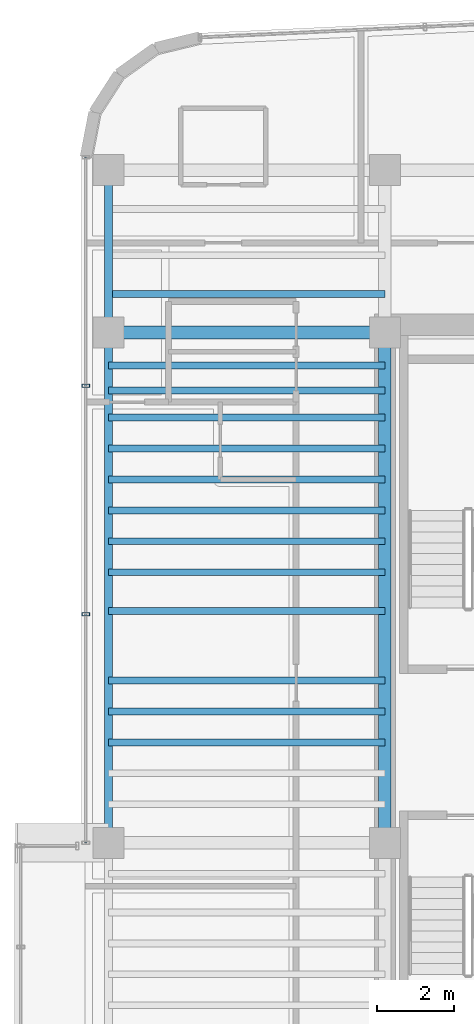
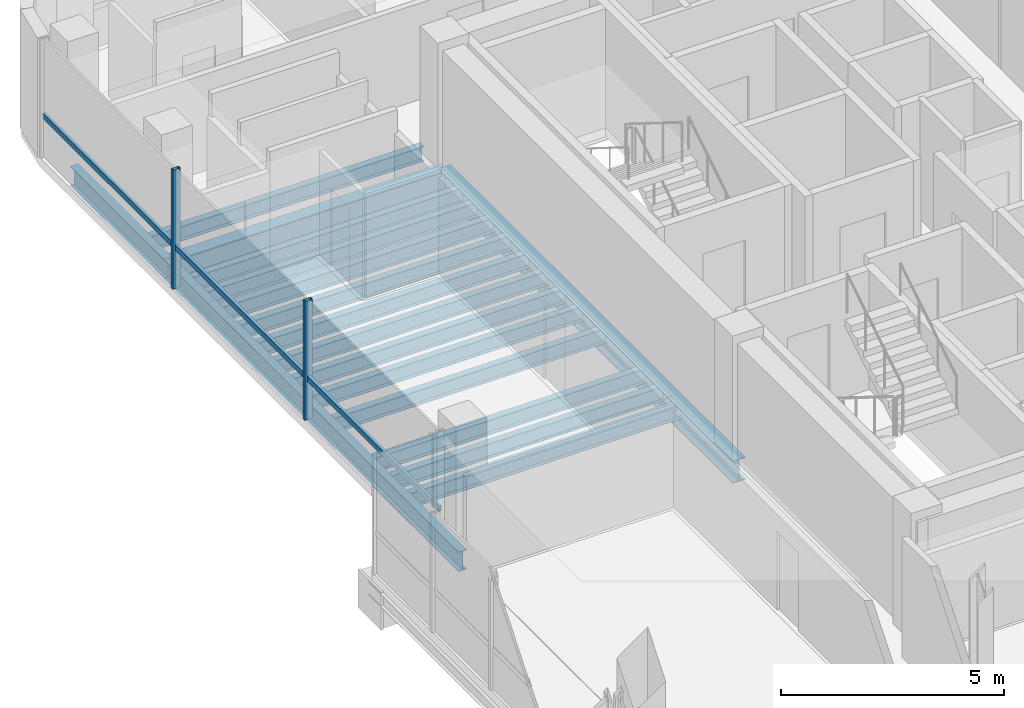
# One storey, part 6 of 19: 17 beams, 3 members, 1 element without a shape of its own.
"""IFC4 building model written with IfcOpenShell, lengths in metres."""

from ifc_helpers import new_model, si_unit, direction, frame, origin, origin_2d, place, context, subcontext, project, spatial, hollow_rectangle, i_section, extrude, source, transform, mapped, material, material_profile, profile_set, type_object, element, aggregate, save


model = new_model("IFC4")

# Units and contexts
model_context = context("Model", 3, precision=1e-05, world=origin(), true_north=direction((0.0, 1.0)))
body_context = subcontext(model_context, "Body", "Model", "MODEL_VIEW")
ifc_project = project(units=[si_unit("LENGTHUNIT", "METRE"), si_unit("AREAUNIT", "SQUARE_METRE"), si_unit("VOLUMEUNIT", "CUBIC_METRE"), si_unit("PLANEANGLEUNIT", "RADIAN"), si_unit("MASSUNIT", "GRAM", prefix="KILO")], contexts=[model_context])

# Site, building, storey
site_placement = place(None, origin())
site = spatial("IfcSite", under=ifc_project, at=site_placement, CompositionType="ELEMENT")
building_placement = place(site_placement, origin())
building = spatial("IfcBuilding", under=site, at=building_placement, Name="Valdorenza Pilgrim Sanctuary Tower", CompositionType="ELEMENT")
storey_placement = place(building_placement, frame((0.0, 0.0, 269.5)))
storey = spatial("IfcBuildingStorey", under=building, at=storey_placement, Name="L70", CompositionType="ELEMENT", Elevation=269.5)

# Beams
ifc_material_1 = material(Name="Steel ASTM A992 Grade 50", Category="steel")
ifc_material_profile_1 = material_profile(ifc_material_1, i_section(OverallWidth=0.323974609375, OverallDepth=0.611083984375, WebThickness=0.0126953125, FlangeThickness=0.01904296875, at=origin_2d()), Name="W24X104")
ifc_profile_set_1 = profile_set([ifc_material_profile_1], Name="Steel ASTM A992 Grade 50")
beam_type_1 = type_object("IfcBeamType", Name="STR-BM-GRD-W24B", PredefinedType="BEAM", material=ifc_profile_set_1)
shared_shape_1 = source(origin(), body_context, "Body", "SweptSolid", [
    extrude(i_section(OverallWidth=0.323974609375, OverallDepth=0.611083984375, WebThickness=0.0126953125, FlangeThickness=0.01904296875, at=origin_2d()), origin(), (0.0, 0.0, 1.0), 13.2001953125),
])
beam_1_placement = place(storey_placement, frame((-22.64990234375, -2.60009765625, -0.54541015625), z_axis=(0.0, 1.0, 0.0), x_axis=(-1.0, 0.0, 0.0)))
element("IfcBeam", 1, at=beam_1_placement, inside=storey, type_object=beam_type_1, Name="L70 Core Tie Girder CA-W-M0N1", PredefinedType="BEAM", context=body_context, shape_type="MappedRepresentation", body=[
    mapped(shared_shape_1, transform((0.0, 0.0, 0.0), x_axis=(1.0, 0.0, 0.0), y_axis=(0.0, 1.0, 0.0), z_axis=(0.0, 0.0, 1.0), scale=1.0)),
])
ifc_material_profile_2 = material_profile(ifc_material_1, i_section(OverallWidth=0.2109375, OverallDepth=0.5390625, WebThickness=0.01171875, FlangeThickness=0.018798828125, at=origin_2d()), Name="W21X73")
ifc_profile_set_2 = profile_set([ifc_material_profile_2], Name="Steel ASTM A992 Grade 50")
beam_type_2 = type_object("IfcBeamType", Name="STR-BM-SPN-W21B", PredefinedType="SPANDREL", material=ifc_profile_set_2)
shared_shape_2 = source(origin(), body_context, "Body", "SweptSolid", [
    extrude(i_section(OverallWidth=0.2109375, OverallDepth=0.5390625, WebThickness=0.01171875, FlangeThickness=0.018798828125, at=origin_2d()), origin(), (0.0, 0.0, 1.0), 13.2001953125),
])
beam_2_placement = place(storey_placement, frame((-29.800048828125, -2.60009765625, -0.509521484375), z_axis=(0.0, 1.0, 0.0), x_axis=(-1.0, 0.0, 0.0)))
element("IfcBeam", 2, at=beam_2_placement, inside=storey, type_object=beam_type_2, Name="L70 Spandrel Beam WA-W-M0N1", PredefinedType="SPANDREL", context=body_context, shape_type="MappedRepresentation", body=[
    mapped(shared_shape_2, transform((0.0, 0.0, 0.0), x_axis=(1.0, 0.0, 0.0), y_axis=(0.0, 1.0, 0.0), z_axis=(0.0, 0.0, 1.0), scale=1.0)),
])
shared_shape_3 = source(origin(), body_context, "Body", "SweptSolid", [
    extrude(i_section(OverallWidth=0.2109375, OverallDepth=0.5390625, WebThickness=0.01171875, FlangeThickness=0.018798828125, at=origin_2d()), origin(), (0.0, 0.0, 1.0), 4.199951171875),
])
beam_3_placement = place(storey_placement, frame((-29.800048828125, 10.60009765625, -0.509521484375), z_axis=(0.0, 1.0, 0.0), x_axis=(-1.0, 0.0, 0.0)))
element("IfcBeam", 3, at=beam_3_placement, inside=storey, type_object=beam_type_2, Name="L70 Spandrel Beam WA-W-N1N2", PredefinedType="SPANDREL", context=body_context, shape_type="MappedRepresentation", body=[
    mapped(shared_shape_3, transform((0.0, 0.0, 0.0), x_axis=(1.0, 0.0, 0.0), y_axis=(0.0, 1.0, 0.0), z_axis=(0.0, 0.0, 1.0), scale=1.0)),
])
ifc_material_profile_3 = material_profile(ifc_material_1, i_section(OverallWidth=0.177978515625, OverallDepth=0.406005859375, WebThickness=0.0078125, FlangeThickness=0.0126953125, at=origin_2d()), Name="W16X40")
ifc_profile_set_3 = profile_set([ifc_material_profile_3], Name="Steel ASTM A992 Grade 50")
beam_type_3 = type_object("IfcBeamType", Name="STR-BM-JST-W16", PredefinedType="JOIST", material=ifc_profile_set_3)
shared_shape_4 = source(origin(), body_context, "Body", "SweptSolid", [
    extrude(i_section(OverallWidth=0.177978515625, OverallDepth=0.406005859375, WebThickness=0.0078125, FlangeThickness=0.0126953125, at=origin_2d()), origin(), (0.0, 0.0, 1.0), 7.150146484375),
])
for number, where, z_axis, x_axis, name in (
    (4, (-29.800048828125, 0.0, -0.443115234375), (1.0, 0.0, 0.0), (0.0, 1.0, 0.0), "L70 Composite Floor Joist JST-WA-12"),
    (5, (-29.800048828125, 0.800048828125, -0.443115234375), (1.0, 0.0, 0.0), (0.0, 1.0, 0.0), "L70 Composite Floor Joist JST-WA-13"),
    (6, (-29.800048828125, 1.60009765625, -0.443115234375), (1.0, 0.0, 0.0), (0.0, 1.0, 0.0), "L70 Composite Floor Joist JST-WA-14"),
    (7, (-29.800048828125, 3.39990234375, -0.443115234375), (1.0, 0.0, 0.0), (0.0, 1.0, 0.0), "L70 Composite Floor Joist JST-WA-15"),
    (8, (-29.800048828125, 4.39990234375, -0.443115234375), (1.0, 0.0, 0.0), (0.0, 1.0, 0.0), "L70 Composite Floor Joist JST-WA-16"),
    (9, (-29.800048828125, 5.199951171875, -0.443115234375), (1.0, 0.0, 0.0), (0.0, 1.0, 0.0), "L70 Composite Floor Joist JST-WA-17"),
    (10, (-29.800048828125, 6.0, -0.443115234375), (1.0, 0.0, 0.0), (0.0, 1.0, 0.0), "L70 Composite Floor Joist JST-WA-18"),
    (11, (-29.800048828125, 6.800048828125, -0.443115234375), (1.0, 0.0, 0.0), (0.0, 1.0, 0.0), "L70 Composite Floor Joist JST-WA-19"),
    (12, (-29.800048828125, 7.60009765625, -0.443115234375), (1.0, 0.0, 0.0), (0.0, 1.0, 0.0), "L70 Composite Floor Joist JST-WA-20"),
    (13, (-29.800048828125, 8.39990234375, -0.443115234375), (1.0, 0.0, 0.0), (0.0, 1.0, 0.0), "L70 Composite Floor Joist JST-WA-21"),
    (14, (-29.800048828125, 9.10009765625, -0.443115234375), (1.0, 0.0, 0.0), (0.0, 1.0, 0.0), "L70 Composite Floor Joist JST-WA-22"),
    (15, (-29.800048828125, 9.75, -0.443115234375), (1.0, 0.0, 0.0), (0.0, 1.0, 0.0), "L70 Composite Floor Joist JST-WA-23"),
    (16, (-29.800048828125, 11.60009765625, -0.443115234375), (1.0, 0.0, 0.0), (0.0, 1.0, 0.0), "L70 Composite Floor Joist JST-WA-24"),
):
    element("IfcBeam", number, at=place(storey_placement, frame(where, z_axis=z_axis, x_axis=x_axis)), inside=storey, type_object=beam_type_3, Name=name, PredefinedType="JOIST", context=body_context, shape_type="MappedRepresentation", body=[
        mapped(shared_shape_4, transform((0.0, 0.0, 0.0), x_axis=(1.0, 0.0, 0.0), y_axis=(0.0, 1.0, 0.0), z_axis=(0.0, 0.0, 1.0), scale=1.0)),
    ])
ifc_material_profile_4 = material_profile(ifc_material_1, i_section(OverallWidth=0.326904296875, OverallDepth=0.6220703125, WebThickness=0.015380859375, FlangeThickness=0.0244140625, at=origin_2d()), Name="W24X131")
ifc_profile_set_4 = profile_set([ifc_material_profile_4], Name="Steel ASTM A992 Grade 50")
beam_type_4 = type_object("IfcBeamType", Name="STR-BM-GRD-W24A", PredefinedType="BEAM", material=ifc_profile_set_4)
shared_shape_5 = source(origin(), body_context, "Body", "SweptSolid", [
    extrude(i_section(OverallWidth=0.326904296875, OverallDepth=0.6220703125, WebThickness=0.015380859375, FlangeThickness=0.0244140625, at=origin_2d()), origin(), (0.0, 0.0, 1.0), 7.150146484375),
])
beam_4_placement = place(storey_placement, frame((-29.800048828125, 10.60009765625, -0.551025390625), z_axis=(1.0, 0.0, 0.0), x_axis=(0.0, 1.0, 0.0)))
element("IfcBeam", 17, at=beam_4_placement, inside=storey, type_object=beam_type_4, Name="L70 Floor Girder WA-XW-N1", PredefinedType="BEAM", context=body_context, shape_type="MappedRepresentation", body=[
    mapped(shared_shape_5, transform((0.0, 0.0, 0.0), x_axis=(1.0, 0.0, 0.0), y_axis=(0.0, 1.0, 0.0), z_axis=(0.0, 0.0, 1.0), scale=1.0)),
])

# Curtain wall, members
ifc_material_2 = material(Name="Curtain-wall IGU glazing", Category="glass")
curtain_wall_type = type_object("IfcCurtainWallType", Name="CW-SYS-02", PredefinedType="NOTDEFINED", material=ifc_material_2)
curtain_wall_placement = place(storey_placement, origin())
curtain_wall = element("IfcCurtainWall", 18, at=curtain_wall_placement, inside=storey, type_object=curtain_wall_type, Name="L70 Curtain Wall CW-L70-1-1S2", PredefinedType="NOTDEFINED")
ifc_material_3 = material(Name="Anodised aluminium AW-6060", Category="aluminium")
ifc_material_profile_5 = material_profile(ifc_material_3, hollow_rectangle(XDim=0.0849609375, YDim=0.199951171875, WallThickness=0.0048828125, at=origin_2d()), Name="ALU-M 200x85x5")
ifc_profile_set_5 = profile_set([ifc_material_profile_5], Name="Anodised aluminium AW-6060")
member_type_1 = type_object("IfcMemberType", Name="CW-MUL-02", PredefinedType="MULLION", material=ifc_profile_set_5)
shared_shape_6 = source(origin(), body_context, "Body", "SweptSolid", [
    extrude(hollow_rectangle(XDim=0.0849609375, YDim=0.199951171875, WallThickness=0.0048828125, at=origin_2d()), origin(), (0.0, 0.0, 1.0), 3.260009765625),
])
member_1_placement = place(storey_placement, frame((-30.389892578125, 3.312255859375, 0.0), z_axis=(0.0, 0.0, 1.0), x_axis=(0.0, 1.0, 0.0)))
member_1 = element("IfcMember", 19, at=member_1_placement, type_object=member_type_1, Name="CW-L70-1-1S2 Mullion 2", PredefinedType="MULLION", context=body_context, shape_type="MappedRepresentation", body=[
    mapped(shared_shape_6, transform((0.0, 0.0, 0.0), x_axis=(1.0, 0.0, 0.0), y_axis=(0.0, 1.0, 0.0), z_axis=(0.0, 0.0, 1.0), scale=1.0)),
])
member_2_placement = place(storey_placement, frame((-30.389892578125, 9.224609375, 0.0), z_axis=(0.0, 0.0, 1.0), x_axis=(0.0, 1.0, 0.0)))
member_2 = element("IfcMember", 20, at=member_2_placement, type_object=member_type_1, Name="CW-L70-1-1S2 Mullion 3", PredefinedType="MULLION", context=body_context, shape_type="MappedRepresentation", body=[
    mapped(shared_shape_6, transform((0.0, 0.0, 0.0), x_axis=(1.0, 0.0, 0.0), y_axis=(0.0, 1.0, 0.0), z_axis=(0.0, 0.0, 1.0), scale=1.0)),
])
ifc_material_profile_6 = material_profile(ifc_material_3, hollow_rectangle(XDim=0.074951171875, YDim=0.14990234375, WallThickness=0.00390625, at=origin_2d()), Name="ALU-T 150x75x4")
ifc_profile_set_6 = profile_set([ifc_material_profile_6], Name="Anodised aluminium AW-6060")
member_type_2 = type_object("IfcMemberType", Name="CW-TRN-02", PredefinedType="USERDEFINED", material=ifc_profile_set_6)
shared_shape_7 = source(origin(), body_context, "Body", "SweptSolid", [
    extrude(hollow_rectangle(XDim=0.074951171875, YDim=0.14990234375, WallThickness=0.00390625, at=origin_2d()), origin(), (0.0, 0.0, 1.0), 17.73681640625),
])
member_3_placement = place(storey_placement, frame((-30.389892578125, -2.60009765625, 1.1201171875), z_axis=(0.0, 1.0, 0.0), x_axis=(-1.0, 0.0, 0.0)))
member_3 = element("IfcMember", 21, at=member_3_placement, type_object=member_type_2, Name="CW-L70-1-1S2 Transom 1", ObjectType="TRANSOM", PredefinedType="USERDEFINED", context=body_context, shape_type="MappedRepresentation", body=[
    mapped(shared_shape_7, transform((0.0, 0.0, 0.0), x_axis=(1.0, 0.0, 0.0), y_axis=(0.0, 1.0, 0.0), z_axis=(0.0, 0.0, 1.0), scale=1.0)),
])
aggregate(curtain_wall, [member_1, member_2, member_3])

save(model, "model.ifc")
